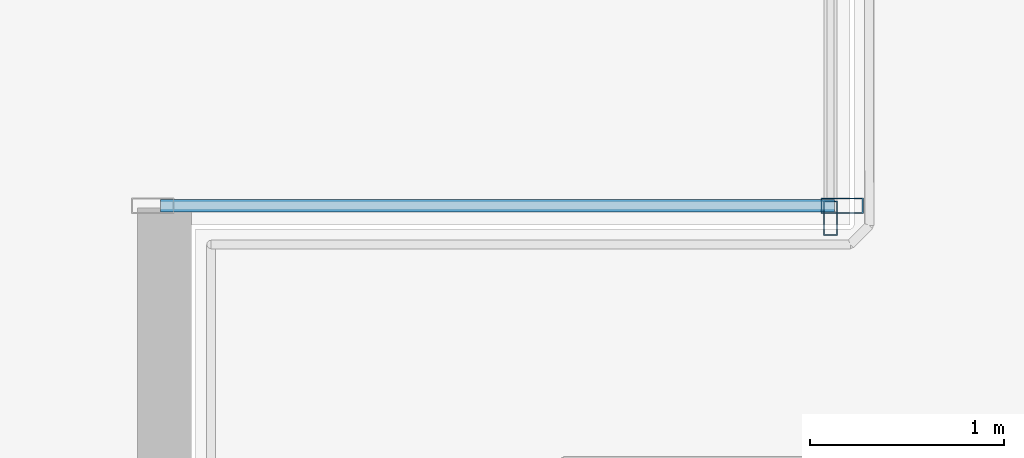
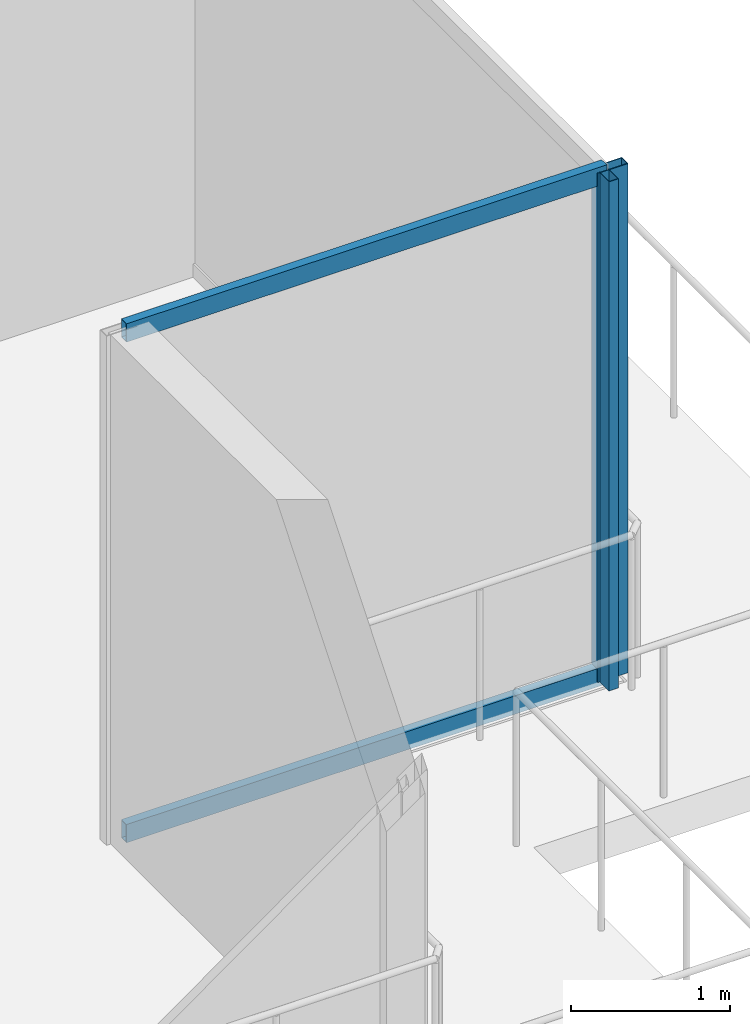
# One storey, part 14 of 34: 4 members, 2 elements without a shape of their own.
"""IFC4 building model written with IfcOpenShell, lengths in metres."""

from ifc_helpers import new_model, si_unit, direction, frame, origin, origin_2d, place, context, subcontext, project, spatial, hollow_rectangle, extrude, source, transform, mapped, material, layer, layer_set, material_profile, profile_set, type_object, type_shapes, element, aggregate, save


model = new_model("IFC4")

# Units and contexts
model_context = context("Model", 3, precision=1e-05, world=origin(), true_north=direction((0.0, 1.0)))
body_context = subcontext(model_context, "Body", "Model", "MODEL_VIEW")
ifc_project = project(units=[si_unit("LENGTHUNIT", "METRE"), si_unit("AREAUNIT", "SQUARE_METRE"), si_unit("VOLUMEUNIT", "CUBIC_METRE"), si_unit("PLANEANGLEUNIT", "RADIAN"), si_unit("MASSUNIT", "GRAM", prefix="KILO")], contexts=[model_context])

# Site, building, storey
site_placement = place(None, origin())
site = spatial("IfcSite", under=ifc_project, at=site_placement, CompositionType="ELEMENT")
building_placement = place(site_placement, origin())
building = spatial("IfcBuilding", under=site, at=building_placement, Name="Haelvirn Gate Laboratories", CompositionType="ELEMENT")
storey_placement = place(building_placement, frame((0.0, 0.0, 297.60009765625)))
storey = spatial("IfcBuildingStorey", under=building, at=storey_placement, Name="L71", CompositionType="ELEMENT", Elevation=297.60009765625)

# Curtain wall, member
ifc_material_1 = material(Name="Anodised bronze unitised aluminium & triple low-E glass", Category="aluminium")
ifc_layer_1 = layer(ifc_material_1, 0.176025390625, Name="CW-SYS-4")
ifc_layer_set_1 = layer_set([ifc_layer_1], Name="Anodised bronze unitised aluminium & triple low-E glass")
curtain_wall_type_1 = type_object("IfcCurtainWallType", Name="CW-SYS-4", PredefinedType="NOTDEFINED", material=ifc_layer_set_1)
curtain_wall_1_placement = place(storey_placement, origin())
curtain_wall_1 = element("IfcCurtainWall", 1, at=curtain_wall_1_placement, inside=storey, type_object=curtain_wall_type_1, Name="L71 Unitised Curtain Wall CW-L71-P0-E07", PredefinedType="NOTDEFINED")
ifc_material_2 = material(Name="Extruded aluminium 6063-T6 (anodised bronze)", Category="aluminium")
ifc_material_profile_1 = material_profile(ifc_material_2, hollow_rectangle(XDim=0.070068359375, YDim=0.179931640625, WallThickness=0.0048828125, at=origin_2d()), Name="CWM-180x70x5")
ifc_profile_set_1 = profile_set([ifc_material_profile_1], Name="Extruded aluminium 6063-T6 (anodised bronze)")
member_type_1 = type_object("IfcMemberType", Name="CWM-T180", PredefinedType="MULLION", material=ifc_profile_set_1)
shared_shape_1 = source(origin(), body_context, "Body", "SweptSolid", [
    extrude(hollow_rectangle(XDim=0.070068359375, YDim=0.179931640625, WallThickness=0.0048828125, at=origin_2d()), origin(), (0.0, 0.0, 1.0), 3.89990234375),
])
type_shapes(member_type_1, [shared_shape_1])
member_1_placement = place(storey_placement, frame((68.89990234375, 7.135009765625, 0.0), z_axis=(0.0, 0.0, 1.0), x_axis=(-1.0, 0.0, 0.0)))
member_1 = element("IfcMember", 2, at=member_1_placement, type_object=member_type_1, Name="CW4 mullion 1", PredefinedType="MULLION", context=body_context, shape_type="MappedRepresentation", body=[
    mapped(shared_shape_1, transform((0.0, 0.0, 0.0), scale=1.0)),
])
aggregate(curtain_wall_1, [member_1])

# Curtain wall, members
ifc_layer_2 = layer(ifc_material_1, 0.181884765625, Name="CW-SYS-5")
ifc_layer_set_2 = layer_set([ifc_layer_2], Name="Anodised bronze unitised aluminium & triple low-E glass")
curtain_wall_type_2 = type_object("IfcCurtainWallType", Name="CW-SYS-5", PredefinedType="NOTDEFINED", material=ifc_layer_set_2)
curtain_wall_2_placement = place(storey_placement, origin())
curtain_wall_2 = element("IfcCurtainWall", 3, at=curtain_wall_2_placement, inside=storey, type_object=curtain_wall_type_2, Name="L71 Unitised Curtain Wall CW-L71-P0-E06-1", PredefinedType="NOTDEFINED")
ifc_material_profile_2 = material_profile(ifc_material_2, hollow_rectangle(XDim=0.080078125, YDim=0.219970703125, WallThickness=0.006103515625, at=origin_2d()), Name="CWM-220x80x6")
ifc_profile_set_2 = profile_set([ifc_material_profile_2], Name="Extruded aluminium 6063-T6 (anodised bronze)")
member_type_2 = type_object("IfcMemberType", Name="CWM-T220", PredefinedType="MULLION", material=ifc_profile_set_2)
shared_shape_2 = source(origin(), body_context, "Body", "SweptSolid", [
    extrude(hollow_rectangle(XDim=0.080078125, YDim=0.219970703125, WallThickness=0.006103515625, at=origin_2d()), origin(), (0.0, 0.0, 1.0), 3.89990234375),
])
type_shapes(member_type_2, [shared_shape_2])
member_2_placement = place(storey_placement, frame((68.9599609375, 7.199951171875, 0.0), z_axis=(0.0, 0.0, 1.0), x_axis=(0.0, 1.0, 0.0)))
member_2 = element("IfcMember", 4, at=member_2_placement, type_object=member_type_2, Name="CW5 mullion 2", PredefinedType="MULLION", context=body_context, shape_type="MappedRepresentation", body=[
    mapped(shared_shape_2, transform((0.0, 0.0, 0.0), scale=1.0)),
])
ifc_material_profile_3 = material_profile(ifc_material_2, hollow_rectangle(XDim=0.06494140625, YDim=0.139892578125, WallThickness=0.00390625, at=origin_2d()), Name="CWT-140x65x4")
ifc_profile_set_3 = profile_set([ifc_material_profile_3], Name="Extruded aluminium 6063-T6 (anodised bronze)")
member_type_3 = type_object("IfcMemberType", Name="CWT-T140", PredefinedType="USERDEFINED", material=ifc_profile_set_3)
shared_shape_3 = source(origin(), body_context, "Body", "SweptSolid", [
    extrude(hollow_rectangle(XDim=0.06494140625, YDim=0.139892578125, WallThickness=0.00390625, at=origin_2d()), origin(), (0.0, 0.0, 1.0), 3.47998046875),
])
type_shapes(member_type_3, [shared_shape_3])
member_3_placement = place(storey_placement, frame((65.43994140625, 7.199951171875, 0.032470703125), z_axis=(1.0, 0.0, 0.0), x_axis=(0.0, 1.0, 0.0)))
member_3 = element("IfcMember", 5, at=member_3_placement, type_object=member_type_3, Name="CW5 transom 1.1", ObjectType="TRANSOM", PredefinedType="USERDEFINED", context=body_context, shape_type="MappedRepresentation", body=[
    mapped(shared_shape_3, transform((0.0, 0.0, 0.0), scale=1.0)),
])
member_4_placement = place(storey_placement, frame((65.43994140625, 7.199951171875, 3.867431640625), z_axis=(1.0, 0.0, 0.0), x_axis=(0.0, 1.0, 0.0)))
member_4 = element("IfcMember", 6, at=member_4_placement, type_object=member_type_3, Name="CW5 transom 1.2", ObjectType="TRANSOM", PredefinedType="USERDEFINED", context=body_context, shape_type="MappedRepresentation", body=[
    mapped(shared_shape_3, transform((0.0, 0.0, 0.0), scale=1.0)),
])
aggregate(curtain_wall_2, [member_2, member_3, member_4])

save(model, "model.ifc")
